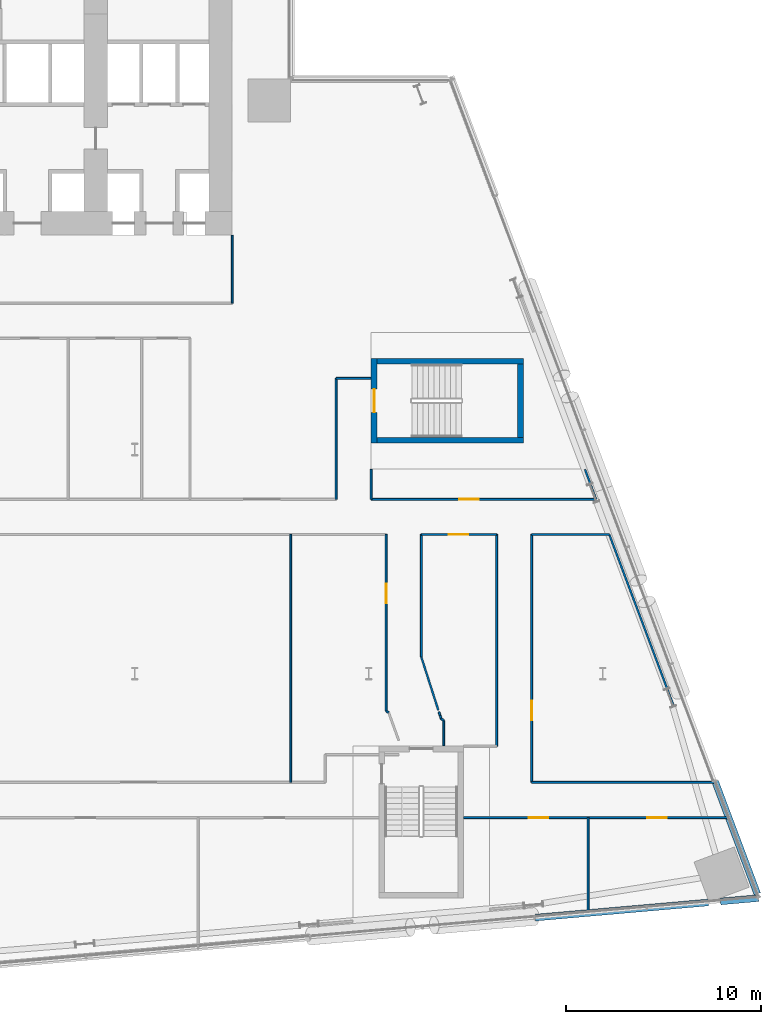
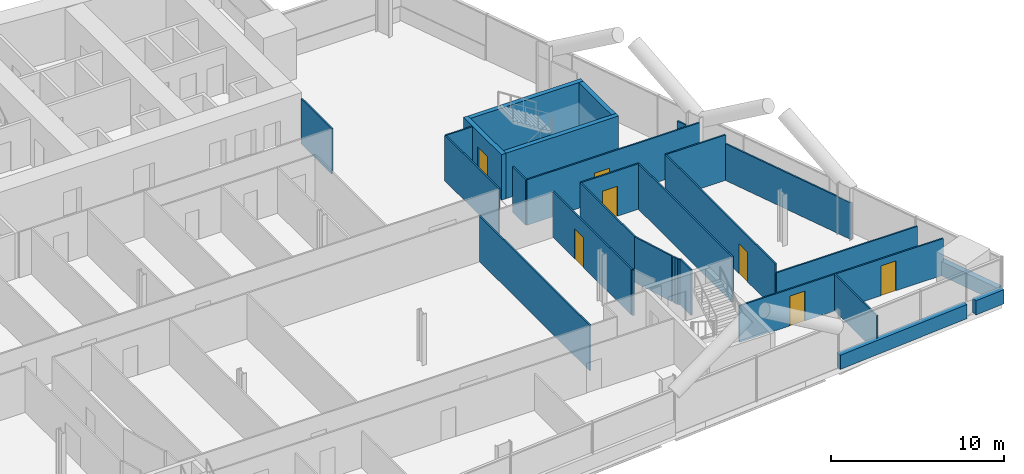
# One storey, part 20 of 28: 30 walls, 7 doors, 7 openings.
"""IFC4 building model written with IfcOpenShell, lengths in metres."""

from ifc_helpers import new_model, si_unit, direction, frame, frame_2d, origin, place, context, subcontext, project, spatial, rectangle, extrude, material, layer, layer_set, type_object, element, fill, save


model = new_model("IFC4")

# Units and contexts
model_context = context("Model", 3, precision=1e-05, world=origin(), true_north=direction((0.0, 1.0)))
body_context = subcontext(model_context, "Body", "Model", "MODEL_VIEW")
ifc_project = project(units=[si_unit("LENGTHUNIT", "METRE"), si_unit("AREAUNIT", "SQUARE_METRE"), si_unit("VOLUMEUNIT", "CUBIC_METRE"), si_unit("PLANEANGLEUNIT", "RADIAN"), si_unit("MASSUNIT", "GRAM", prefix="KILO")], contexts=[model_context])

# Site, building, storey
site_placement = place(None, origin())
site = spatial("IfcSite", under=ifc_project, at=site_placement, CompositionType="ELEMENT")
building_placement = place(site_placement, origin())
building = spatial("IfcBuilding", under=site, at=building_placement, Name="Wharfspan Tower", CompositionType="ELEMENT")
storey_placement = place(building_placement, frame((0.0, 0.0, 59.5)))
storey = spatial("IfcBuildingStorey", under=building, at=storey_placement, Name="L11", CompositionType="ELEMENT", Elevation=59.5)

# Walls
ifc_material_1 = material(Name="Gypsum board on steel studs", Category="steel")
ifc_layer_1 = layer(ifc_material_1, 0.100098)
ifc_layer_set_1 = layer_set([ifc_layer_1], Name="Gypsum board on steel studs")
wall_type_1 = type_object("IfcWallType", Name="Compartment wall 100 EI 60", PredefinedType="PARTITIONING", material=ifc_layer_set_1)
wall_1_placement = place(storey_placement, frame((65.0, 30.5, 0.0), z_axis=(0.0, 0.0, 1.0), x_axis=(0.0, 1.0, 0.0)))
element("IfcWall", 1, at=wall_1_placement, inside=storey, type_object=wall_type_1, Name="Partition L11.w058", PredefinedType="PARTITIONING", context=body_context, shape_type="SweptSolid", body=[
    extrude(rectangle(XDim=3.47998, YDim=0.100098, at=frame_2d((1.73999, 0.0))), origin(), (0.0, 0.0, 1.0), 3.199951),
])
wall_2_placement = place(storey_placement, frame((68.0, 5.925049, 0.0), z_axis=(0.0, 0.0, 1.0), x_axis=(0.0, 1.0, 0.0)))
element("IfcWall", 2, at=wall_2_placement, inside=storey, type_object=wall_type_1, Name="Partition L11.w059", PredefinedType="PARTITIONING", context=body_context, shape_type="SweptSolid", body=[
    extrude(rectangle(XDim=12.714844, YDim=0.100098, at=frame_2d((6.357422, 0.0))), origin(), (0.0, 0.0, 1.0), 3.199951),
])
wall_3_placement = place(storey_placement, frame((70.324951, 20.445068, 0.0), z_axis=(0.0, 0.0, 1.0), x_axis=(0.0, 1.0, 0.0)))
element("IfcWall", 3, at=wall_3_placement, inside=storey, type_object=wall_type_1, Name="Partition L11.w063", PredefinedType="PARTITIONING", context=body_context, shape_type="SweptSolid", body=[
    extrude(rectangle(XDim=6.204834, YDim=0.100098, at=frame_2d((3.102539, 0.0))), origin(), (0.0, 0.0, 1.0), 3.199951),
])
wall_4_placement = place(storey_placement, frame((70.324951, 26.649902, 0.0), z_axis=(0.0, 0.0, 1.0), x_axis=(1.0, 0.0, 0.0)))
element("IfcWall", 4, at=wall_4_placement, inside=storey, type_object=wall_type_1, Name="Partition L11.w064", PredefinedType="PARTITIONING", context=body_context, shape_type="SweptSolid", body=[
    extrude(rectangle(XDim=1.780029, YDim=0.100098, at=frame_2d((0.890137, 0.0))), origin(), (0.0, 0.0, 1.0), 3.199951),
])
wall_5_placement = place(storey_placement, frame((72.125, 20.445068, 0.0), z_axis=(0.0, 0.0, 1.0), x_axis=(0.0, 1.0, 0.0)))
element("IfcWall", 5, at=wall_5_placement, inside=storey, type_object=wall_type_1, Name="Partition L11.w066", PredefinedType="PARTITIONING", context=body_context, shape_type="SweptSolid", body=[
    extrude(rectangle(XDim=1.534912, YDim=0.100098, at=frame_2d((0.767578, 0.0))), origin(), (0.0, 0.0, 1.0), 3.199951),
])

# Wall, opening, door
wall_6_placement = place(storey_placement, frame((72.125, 20.445068, 0.0), z_axis=(0.0, 0.0, 1.0), x_axis=(1.0, 0.0, 0.0)))
wall_6 = element("IfcWall", 6, at=wall_6_placement, inside=storey, type_object=wall_type_1, Name="Partition L11.w067", PredefinedType="PARTITIONING", context=body_context, shape_type="SweptSolid", body=[
    extrude(rectangle(XDim=11.534912, YDim=0.100098, at=frame_2d((5.767578, 0.0))), origin(), (0.0, 0.0, 1.0), 3.199951),
])
opening_1_placement = place(wall_6_placement, frame((4.520508, 0.0, 0.0)))
opening_1 = element("IfcOpeningElement", 7, at=opening_1_placement, cuts=wall_6, Name="Opening A2-31", PredefinedType="OPENING", context=body_context, shape_type="SweptSolid", body=[
    extrude(rectangle(XDim=1.0, YDim=2.100098, at=frame_2d((0.5, 1.050049))), frame((0.0, 0.060059, 0.0), z_axis=(0.0, -1.0, 0.0), x_axis=(1.0, 0.0, 0.0)), (0.0, 0.0, 1.0), 0.120117),
])
ifc_material_2 = material(Name="Fire-rated timber door leaf in steel frame", Category="steel")
door_type_1 = type_object("IfcDoorType", Name="Door 1000 FD30S Left", OperationType="SINGLE_SWING_LEFT", PredefinedType="DOOR", material=ifc_material_2)
door_1_placement = place(opening_1_placement, origin())
door_1 = element("IfcDoor", 8, at=door_1_placement, inside=storey, type_object=door_type_1, Name="Door A2-31", OperationType="SINGLE_SWING_LEFT", OverallHeight=2.100098, OverallWidth=1.0, PredefinedType="DOOR", context=body_context, shape_type="SweptSolid", body=[
    extrude(rectangle(XDim=1.0, YDim=2.100098, at=frame_2d((0.5, 1.050049))), frame((0.0, 0.024902, 0.0), z_axis=(0.0, -1.0, 0.0), x_axis=(1.0, 0.0, 0.0)), (0.0, 0.0, 1.0), 0.050049),
])
fill(opening_1, door_1)

wall_7_placement = place(storey_placement, frame((72.889893, 9.590088, 0.0), z_axis=(0.0, 0.0, 1.0), x_axis=(0.0, 1.0, 0.0)))
wall_7 = element("IfcWall", 9, at=wall_7_placement, inside=storey, type_object=wall_type_1, Name="Partition L11.w068", PredefinedType="PARTITIONING", context=body_context, shape_type="SweptSolid", body=[
    extrude(rectangle(XDim=9.049805, YDim=0.100098, at=frame_2d((4.524902, 0.0))), origin(), (0.0, 0.0, 1.0), 3.199951),
])
opening_2_placement = place(wall_7_placement, frame((5.514893, 0.0, 0.0)))
opening_2 = element("IfcOpeningElement", 10, at=opening_2_placement, cuts=wall_7, Name="Opening A2-20", PredefinedType="OPENING", context=body_context, shape_type="SweptSolid", body=[
    extrude(rectangle(XDim=1.0, YDim=2.100098, at=frame_2d((0.5, 1.050049))), frame((0.0, 0.060059, 0.0), z_axis=(0.0, -1.0, 0.0), x_axis=(1.0, 0.0, 0.0)), (0.0, 0.0, 1.0), 0.120117),
])
door_type_2 = type_object("IfcDoorType", Name="Door 1000 FD30S Right", OperationType="SINGLE_SWING_RIGHT", PredefinedType="DOOR", material=ifc_material_2)
door_2_placement = place(opening_2_placement, origin())
door_2 = element("IfcDoor", 11, at=door_2_placement, inside=storey, type_object=door_type_2, Name="Door A2-20", OperationType="SINGLE_SWING_RIGHT", OverallHeight=2.100098, OverallWidth=1.0, PredefinedType="DOOR", context=body_context, shape_type="SweptSolid", body=[
    extrude(rectangle(XDim=1.0, YDim=2.100098, at=frame_2d((0.5, 1.050049))), frame((0.0, 0.024902, 0.0), z_axis=(0.0, -1.0, 0.0), x_axis=(1.0, 0.0, 0.0)), (0.0, 0.0, 1.0), 0.050049),
])
fill(opening_2, door_2)

# Walls
wall_8_placement = place(storey_placement, frame((73.02002, 9.514893, 0.0), z_axis=(0.0, 0.0, 1.0), x_axis=(-0.865836, 0.500333, 0.0)))
element("IfcWall", 12, at=wall_8_placement, inside=storey, type_object=wall_type_1, Name="Partition L11.w069", PredefinedType="PARTITIONING", context=body_context, shape_type="SweptSolid", body=[
    extrude(rectangle(XDim=0.150391, YDim=0.100098, at=frame_2d((0.075195, 0.0))), origin(), (0.0, 0.0, 1.0), 3.199951),
])
wall_9_placement = place(storey_placement, frame((74.695068, 12.360107, 0.0), z_axis=(0.0, 0.0, 1.0), x_axis=(0.0, 1.0, 0.0)))
element("IfcWall", 13, at=wall_9_placement, inside=storey, type_object=wall_type_1, Name="Partition L11.w072", PredefinedType="PARTITIONING", context=body_context, shape_type="SweptSolid", body=[
    extrude(rectangle(XDim=6.279785, YDim=0.100098, at=frame_2d((3.139893, 0.0))), origin(), (0.0, 0.0, 1.0), 3.199951),
])

# Wall, opening, door
wall_10_placement = place(storey_placement, frame((74.695068, 18.639893, 0.0), z_axis=(0.0, 0.0, 1.0), x_axis=(1.0, 0.0, 0.0)))
wall_10 = element("IfcWall", 14, at=wall_10_placement, inside=storey, type_object=wall_type_1, Name="Partition L11.w073", PredefinedType="PARTITIONING", context=body_context, shape_type="SweptSolid", body=[
    extrude(rectangle(XDim=3.859863, YDim=0.100098, at=frame_2d((1.929932, 0.0))), origin(), (0.0, 0.0, 1.0), 3.199951),
])
opening_3_placement = place(wall_10_placement, frame((1.419922, 0.0, 0.0)))
opening_3 = element("IfcOpeningElement", 15, at=opening_3_placement, cuts=wall_10, Name="Opening A2-23", PredefinedType="OPENING", context=body_context, shape_type="SweptSolid", body=[
    extrude(rectangle(XDim=1.0, YDim=2.100098, at=frame_2d((0.5, 1.050049))), frame((0.0, 0.060059, 0.0), z_axis=(0.0, -1.0, 0.0), x_axis=(1.0, 0.0, 0.0)), (0.0, 0.0, 1.0), 0.120117),
])
door_3_placement = place(opening_3_placement, origin())
door_3 = element("IfcDoor", 16, at=door_3_placement, inside=storey, type_object=door_type_1, Name="Door A2-23", OperationType="SINGLE_SWING_LEFT", OverallHeight=2.100098, OverallWidth=1.0, PredefinedType="DOOR", context=body_context, shape_type="SweptSolid", body=[
    extrude(rectangle(XDim=1.0, YDim=2.100098, at=frame_2d((0.5, 1.050049))), frame((0.0, 0.024902, 0.0), z_axis=(0.0, -1.0, 0.0), x_axis=(1.0, 0.0, 0.0)), (0.0, 0.0, 1.0), 0.050049),
])
fill(opening_3, door_3)

# Walls
wall_11_placement = place(storey_placement, frame((75.570068, 9.625, 0.0), z_axis=(0.0, 0.0, 1.0), x_axis=(-0.305088, 0.952327, 0.0)))
element("IfcWall", 17, at=wall_11_placement, inside=storey, type_object=wall_type_1, Name="Partition L11.w074", PredefinedType="PARTITIONING", context=body_context, shape_type="SweptSolid", body=[
    extrude(rectangle(XDim=2.87207, YDim=0.100098, at=frame_2d((1.436035, 0.0))), origin(), (0.0, 0.0, 1.0), 3.199951),
])
wall_12_placement = place(storey_placement, frame((75.655029, 9.370117, 0.0), z_axis=(0.0, 0.0, 1.0), x_axis=(-0.299793, 0.954008, 0.0)))
element("IfcWall", 18, at=wall_12_placement, inside=storey, type_object=wall_type_1, Name="Partition L11.w075", PredefinedType="PARTITIONING", context=body_context, shape_type="SweptSolid", body=[
    extrude(rectangle(XDim=0.18335, YDim=0.100098, at=frame_2d((0.091797, 0.0))), origin(), (0.0, 0.0, 1.0), 3.199951),
])
wall_13_placement = place(storey_placement, frame((75.715088, 9.189941, 0.0), z_axis=(0.0, 0.0, 1.0), x_axis=(-0.316228, 0.948684, 0.0)))
element("IfcWall", 19, at=wall_13_placement, inside=storey, type_object=wall_type_1, Name="Partition L11.w076", PredefinedType="PARTITIONING", context=body_context, shape_type="SweptSolid", body=[
    extrude(rectangle(XDim=0.189941, YDim=0.100098, at=frame_2d((0.094971, 0.0))), origin(), (0.0, 0.0, 1.0), 3.199951),
])
wall_14_placement = place(storey_placement, frame((75.844971, 7.812012, 0.0), z_axis=(0.0, 0.0, 1.0), x_axis=(0.0, 1.0, 0.0)))
element("IfcWall", 20, at=wall_14_placement, inside=storey, type_object=wall_type_1, Name="Partition L11.w077", PredefinedType="PARTITIONING", context=body_context, shape_type="SweptSolid", body=[
    extrude(rectangle(XDim=1.278076, YDim=0.100098, at=frame_2d((0.63916, 0.0))), origin(), (0.0, 0.0, 1.0), 3.199951),
])
wall_15_placement = place(storey_placement, frame((75.844971, 9.094971, 0.0), z_axis=(0.0, 0.0, 1.0), x_axis=(-0.807226, 0.590246, 0.0)))
element("IfcWall", 21, at=wall_15_placement, inside=storey, type_object=wall_type_1, Name="Partition L11.w078", PredefinedType="PARTITIONING", context=body_context, shape_type="SweptSolid", body=[
    extrude(rectangle(XDim=0.160889, YDim=0.100098, at=frame_2d((0.080566, 0.0))), origin(), (0.0, 0.0, 1.0), 3.199951),
])

# Wall, openings, doors
wall_16_placement = place(storey_placement, frame((76.867432, 4.120117, 0.0), z_axis=(0.0, 0.0, 1.0), x_axis=(1.0, 0.0, 0.0)))
wall_16 = element("IfcWall", 22, at=wall_16_placement, inside=storey, type_object=wall_type_1, Name="Partition L11.w079", PredefinedType="PARTITIONING", context=body_context, shape_type="SweptSolid", body=[
    extrude(rectangle(XDim=13.566162, YDim=0.100098, at=frame_2d((6.783203, 0.0))), origin(), (0.0, 0.0, 1.0), 2.580078),
])
opening_4_placement = place(wall_16_placement, frame((3.347412, 0.0, 0.0)))
opening_4 = element("IfcOpeningElement", 23, at=opening_4_placement, cuts=wall_16, Name="Opening A2-11", PredefinedType="OPENING", context=body_context, shape_type="SweptSolid", body=[
    extrude(rectangle(XDim=1.0, YDim=2.100098, at=frame_2d((0.5, 1.050049))), frame((0.0, 0.060059, 0.0), z_axis=(0.0, -1.0, 0.0), x_axis=(1.0, 0.0, 0.0)), (0.0, 0.0, 1.0), 0.120117),
])
opening_5_placement = place(wall_16_placement, frame((9.407471, 0.0, 0.0)))
opening_5 = element("IfcOpeningElement", 24, at=opening_5_placement, cuts=wall_16, Name="Opening A2-12", PredefinedType="OPENING", context=body_context, shape_type="SweptSolid", body=[
    extrude(rectangle(XDim=1.0, YDim=2.100098, at=frame_2d((0.5, 1.050049))), frame((0.0, 0.060059, 0.0), z_axis=(0.0, -1.0, 0.0), x_axis=(1.0, 0.0, 0.0)), (0.0, 0.0, 1.0), 0.120117),
])
door_4_placement = place(opening_4_placement, origin())
door_4 = element("IfcDoor", 25, at=door_4_placement, inside=storey, type_object=door_type_1, Name="Door A2-11", OperationType="SINGLE_SWING_LEFT", OverallHeight=2.100098, OverallWidth=1.0, PredefinedType="DOOR", context=body_context, shape_type="SweptSolid", body=[
    extrude(rectangle(XDim=1.0, YDim=2.100098, at=frame_2d((0.5, 1.050049))), frame((0.0, 0.024902, 0.0), z_axis=(0.0, -1.0, 0.0), x_axis=(1.0, 0.0, 0.0)), (0.0, 0.0, 1.0), 0.050049),
])
fill(opening_4, door_4)
door_5_placement = place(opening_5_placement, origin())
door_5 = element("IfcDoor", 26, at=door_5_placement, inside=storey, type_object=door_type_2, Name="Door A2-12", OperationType="SINGLE_SWING_RIGHT", OverallHeight=2.100098, OverallWidth=1.0, PredefinedType="DOOR", context=body_context, shape_type="SweptSolid", body=[
    extrude(rectangle(XDim=1.0, YDim=2.100098, at=frame_2d((0.5, 1.050049))), frame((0.0, 0.024902, 0.0), z_axis=(0.0, -1.0, 0.0), x_axis=(1.0, 0.0, 0.0)), (0.0, 0.0, 1.0), 0.050049),
])
fill(opening_5, door_5)

# Wall
wall_17_placement = place(storey_placement, frame((78.554932, 7.790039, 0.0), z_axis=(0.0, 0.0, 1.0), x_axis=(0.0, 1.0, 0.0)))
element("IfcWall", 27, at=wall_17_placement, inside=storey, type_object=wall_type_1, Name="Partition L11.w082", PredefinedType="PARTITIONING", context=body_context, shape_type="SweptSolid", body=[
    extrude(rectangle(XDim=10.849854, YDim=0.100098, at=frame_2d((5.424805, 0.0))), origin(), (0.0, 0.0, 1.0), 3.199951),
])

# Wall, opening, door
wall_18_placement = place(storey_placement, frame((80.35498, 5.925049, 0.0), z_axis=(0.0, 0.0, 1.0), x_axis=(0.0, 1.0, 0.0)))
wall_18 = element("IfcWall", 28, at=wall_18_placement, inside=storey, type_object=wall_type_1, Name="Partition L11.w083", PredefinedType="PARTITIONING", context=body_context, shape_type="SweptSolid", body=[
    extrude(rectangle(XDim=12.714844, YDim=0.100098, at=frame_2d((6.357422, 0.0))), origin(), (0.0, 0.0, 1.0), 3.199951),
])
opening_6_placement = place(wall_18_placement, frame((3.189697, 0.0, 0.0)))
opening_6 = element("IfcOpeningElement", 29, at=opening_6_placement, cuts=wall_18, Name="Opening A2-17", PredefinedType="OPENING", context=body_context, shape_type="SweptSolid", body=[
    extrude(rectangle(XDim=1.0, YDim=2.100098, at=frame_2d((0.5, 1.050049))), frame((0.0, 0.060059, 0.0), z_axis=(0.0, -1.0, 0.0), x_axis=(1.0, 0.0, 0.0)), (0.0, 0.0, 1.0), 0.120117),
])
door_6_placement = place(opening_6_placement, origin())
door_6 = element("IfcDoor", 30, at=door_6_placement, inside=storey, type_object=door_type_1, Name="Door A2-17", OperationType="SINGLE_SWING_LEFT", OverallHeight=2.100098, OverallWidth=1.0, PredefinedType="DOOR", context=body_context, shape_type="SweptSolid", body=[
    extrude(rectangle(XDim=1.0, YDim=2.100098, at=frame_2d((0.5, 1.050049))), frame((0.0, 0.024902, 0.0), z_axis=(0.0, -1.0, 0.0), x_axis=(1.0, 0.0, 0.0)), (0.0, 0.0, 1.0), 0.050049),
])
fill(opening_6, door_6)

# Walls
wall_19_placement = place(storey_placement, frame((80.35498, 5.925049, 0.0), z_axis=(0.0, 0.0, 1.0), x_axis=(1.0, 0.0, 0.0)))
element("IfcWall", 31, at=wall_19_placement, inside=storey, type_object=wall_type_1, Name="Partition L11.w084", PredefinedType="PARTITIONING", context=body_context, shape_type="SweptSolid", body=[
    extrude(rectangle(XDim=9.401855, YDim=0.100098, at=frame_2d((4.700928, 0.0))), origin(), (0.0, 0.0, 1.0), 2.580078),
])
wall_20_placement = place(storey_placement, frame((80.35498, 18.639893, 0.0), z_axis=(0.0, 0.0, 1.0), x_axis=(1.0, 0.0, 0.0)))
element("IfcWall", 32, at=wall_20_placement, inside=storey, type_object=wall_type_1, Name="Partition L11.w085", PredefinedType="PARTITIONING", context=body_context, shape_type="SweptSolid", body=[
    extrude(rectangle(XDim=3.97998, YDim=0.100098, at=frame_2d((1.98999, 0.0))), origin(), (0.0, 0.0, 1.0), 3.199951),
])
wall_21_placement = place(storey_placement, frame((83.25, -0.745361, 0.0), z_axis=(0.0, 0.0, 1.0), x_axis=(0.0, 1.0, 0.0)))
element("IfcWall", 33, at=wall_21_placement, inside=storey, type_object=wall_type_1, Name="Partition L11.w087", PredefinedType="PARTITIONING", context=body_context, shape_type="SweptSolid", body=[
    extrude(rectangle(XDim=4.865479, YDim=0.100098, at=frame_2d((2.432617, 0.0))), origin(), (0.0, 0.0, 1.0), 2.580078),
])
wall_22_placement = place(storey_placement, frame((83.659912, 20.445068, 0.0), z_axis=(0.0, 0.0, 1.0), x_axis=(-0.349474, 0.936948, 0.0)))
element("IfcWall", 34, at=wall_22_placement, inside=storey, type_object=wall_type_1, Name="Partition L11.w088", PredefinedType="PARTITIONING", context=body_context, shape_type="SweptSolid", body=[
    extrude(rectangle(XDim=1.638184, YDim=0.100098, at=frame_2d((0.819092, 0.0))), origin(), (0.0, 0.0, 1.0), 2.580078),
])
wall_23_placement = place(storey_placement, frame((87.649902, 9.810059, 0.0), z_axis=(0.0, 0.0, 1.0), x_axis=(-0.351473, 0.9362, 0.0)))
element("IfcWall", 35, at=wall_23_placement, inside=storey, type_object=wall_type_1, Name="Partition L11.w089", PredefinedType="PARTITIONING", context=body_context, shape_type="SweptSolid", body=[
    extrude(rectangle(XDim=9.431641, YDim=0.100098, at=frame_2d((4.71582, 0.0))), origin(), (0.0, 0.0, 1.0), 2.580078),
])
ifc_material_3 = material(Name="Concrete C40/50", Category="concrete")
ifc_layer_2 = layer(ifc_material_3, 0.350098)
ifc_layer_set_2 = layer_set([ifc_layer_2], Name="Concrete C40/50")
wall_type_2 = type_object("IfcWallType", Name="SPANDREL EXPOSED CONCRETE 350", PredefinedType="SOLIDWALL", material=ifc_layer_set_2)
wall_24_placement = place(storey_placement, frame((80.530273, -1.008545, 0.0), z_axis=(0.0, 0.0, 1.0), x_axis=(0.996198, 0.087169, 0.0)))
element("IfcWall", 36, at=wall_24_placement, inside=storey, type_object=wall_type_2, Name="Spandrel upstand L11 S2 2", PredefinedType="SOLIDWALL", context=body_context, shape_type="SweptSolid", body=[
    extrude(rectangle(XDim=8.912109, YDim=0.350098, at=frame_2d((4.456055, 0.0))), origin(), (0.0, 0.0, 1.0), 1.0),
])
wall_25_placement = place(storey_placement, frame((90.039062, -0.176514, 0.0), z_axis=(0.0, 0.0, 1.0), x_axis=(0.996193, 0.08717, 0.0)))
element("IfcWall", 37, at=wall_25_placement, inside=storey, type_object=wall_type_2, Name="Spandrel upstand L11 S2 3", PredefinedType="SOLIDWALL", context=body_context, shape_type="SweptSolid", body=[
    extrude(rectangle(XDim=1.968994, YDim=0.350098, at=frame_2d((0.984375, 0.0))), origin(), (0.0, 0.0, 1.0), 1.0),
])
wall_26_placement = place(storey_placement, frame((91.926025, 0.211182, 0.0), z_axis=(0.0, 0.0, 1.0), x_axis=(-0.351118, 0.936328, 0.0)))
element("IfcWall", 38, at=wall_26_placement, inside=storey, type_object=wall_type_2, Name="Spandrel upstand L11 E 1", PredefinedType="SOLIDWALL", context=body_context, shape_type="SweptSolid", body=[
    extrude(rectangle(XDim=6.154297, YDim=0.350098, at=frame_2d((3.077148, 0.0))), origin(), (0.0, 0.0, 1.0), 1.0),
])

# Wall, opening, door
ifc_layer_3 = layer(ifc_material_3, 0.300049)
ifc_layer_set_3 = layer_set([ifc_layer_3], Name="Concrete C40/50")
wall_type_3 = type_object("IfcWallType", Name="Stair core wall 300", PredefinedType="SHEAR", material=ifc_layer_set_3)
wall_27_placement = place(storey_placement, frame((72.274902, 23.324951, 0.0), z_axis=(0.0, 0.0, 1.0), x_axis=(0.0, 1.0, 0.0)))
wall_27 = element("IfcWall", 39, at=wall_27_placement, inside=storey, type_object=wall_type_3, Name="ST6 stair enclosure wall L11", PredefinedType="SHEAR", context=body_context, shape_type="SweptSolid", body=[
    extrude(rectangle(XDim=4.350098, YDim=0.300049, at=frame_2d((2.175049, 0.0))), origin(), (0.0, 0.0, 1.0), 3.199951),
])
opening_7_placement = place(wall_27_placement, frame((1.574951, 0.0, 0.0)))
opening_7 = element("IfcOpeningElement", 40, at=opening_7_placement, cuts=wall_27, Name="Opening SD6.L11", PredefinedType="OPENING", context=body_context, shape_type="SweptSolid", body=[
    extrude(rectangle(XDim=1.199951, YDim=2.100098, at=frame_2d((0.600098, 1.050049))), frame((0.0, 0.159912, 0.0), z_axis=(0.0, -1.0, 0.0), x_axis=(1.0, 0.0, 0.0)), (0.0, 0.0, 1.0), 0.320068),
])
ifc_material_4 = material(Name="Steel door leaf", Category="steel")
door_type_3 = type_object("IfcDoorType", Name="Stair door 1200x2100", OperationType="SINGLE_SWING_LEFT", PredefinedType="DOOR", material=ifc_material_4)
door_7_placement = place(opening_7_placement, origin())
door_7 = element("IfcDoor", 41, at=door_7_placement, inside=storey, type_object=door_type_3, Name="sd:L11:ST6z1", OperationType="SINGLE_SWING_RIGHT", OverallHeight=2.100098, OverallWidth=1.199951, PredefinedType="DOOR", context=body_context, shape_type="SweptSolid", body=[
    extrude(rectangle(XDim=1.199951, YDim=2.100098, at=frame_2d((0.600098, 1.050049))), frame((0.0, 0.024902, 0.0), z_axis=(0.0, -1.0, 0.0), x_axis=(1.0, 0.0, 0.0)), (0.0, 0.0, 1.0), 0.050049),
])
fill(opening_7, door_7)

# Walls
for number, where, z_axis, x_axis, name in (
    (42, (72.425049, 23.475098, 0.0), (0.0, 0.0, 1.0), (1.0, 0.0, 0.0), "ST6 stair enclosure wall L11"),
    (43, (72.425049, 27.524902, 0.0), (0.0, 0.0, 1.0), (1.0, 0.0, 0.0), "ST6 stair enclosure wall L11"),
):
    element("IfcWall", number, at=place(storey_placement, frame(where, z_axis=z_axis, x_axis=x_axis)), inside=storey, type_object=wall_type_3, Name=name, PredefinedType="SHEAR", context=body_context, shape_type="SweptSolid", body=[
        extrude(rectangle(XDim=7.5, YDim=0.300049, at=frame_2d((3.75, 0.0))), origin(), (0.0, 0.0, 1.0), 3.199951),
    ])
wall_28_placement = place(storey_placement, frame((79.774902, 23.625, 0.0), z_axis=(0.0, 0.0, 1.0), x_axis=(0.0, 1.0, 0.0)))
element("IfcWall", 44, at=wall_28_placement, inside=storey, type_object=wall_type_3, Name="ST6 stair enclosure wall L11", PredefinedType="SHEAR", context=body_context, shape_type="SweptSolid", body=[
    extrude(rectangle(XDim=3.75, YDim=0.300049, at=frame_2d((1.875, 0.0))), origin(), (0.0, 0.0, 1.0), 3.199951),
])

save(model, "model.ifc")
